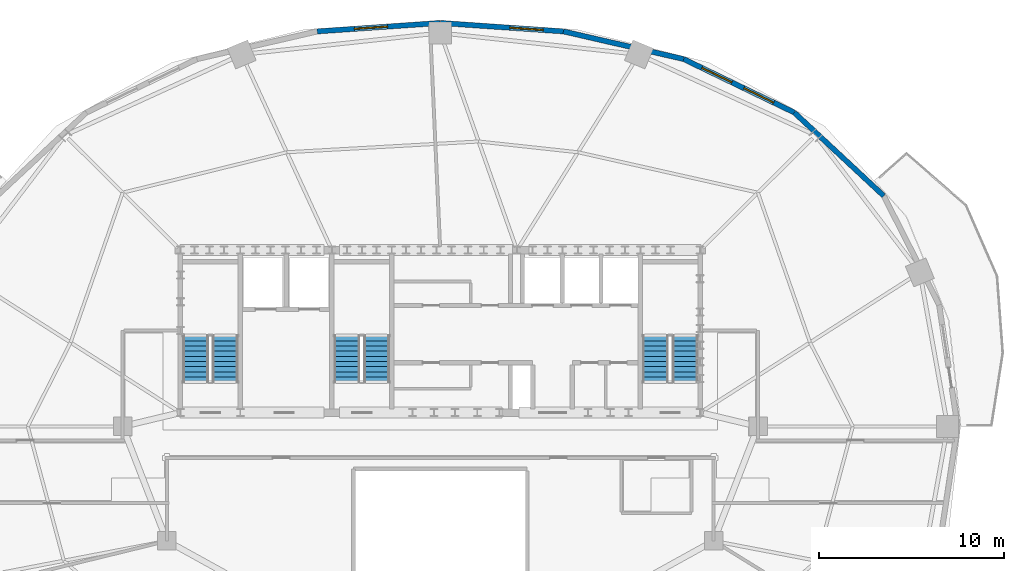
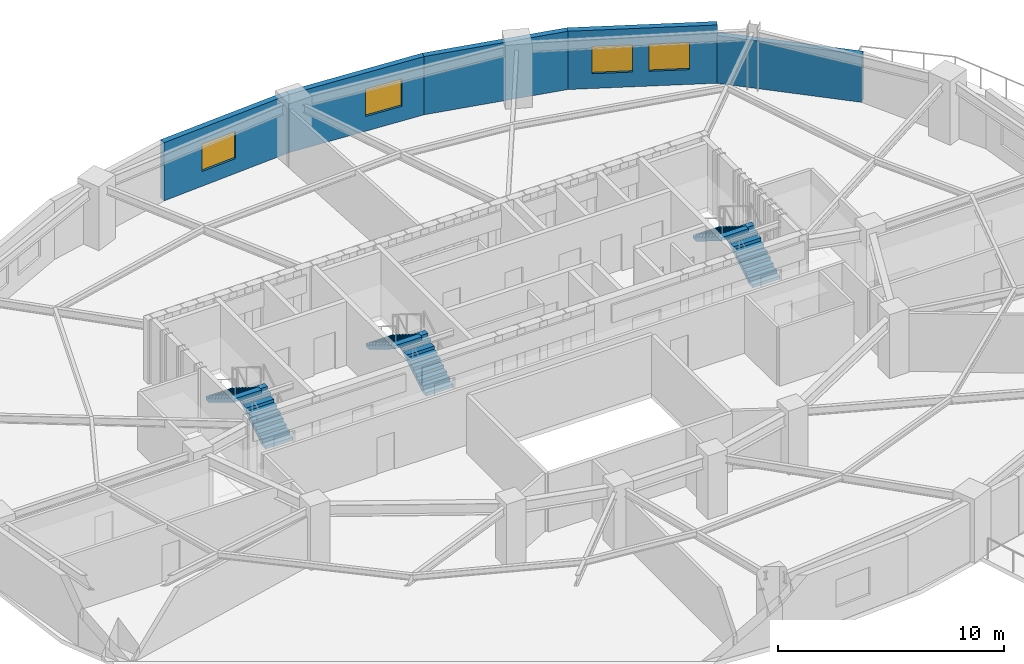
# One storey, part 6 of 11: 6 stair flights, 5 walls, 4 windows, 4 openings, 3 elements without a shape of their own.
"""IFC4 building model written with IfcOpenShell, lengths in metres."""

from ifc_helpers import new_model, si_unit, direction, frame, frame_2d, origin, place, context, subcontext, project, spatial, polyline, rectangle, outline, extrude, material, layer, layer_set, type_object, element, fill, aggregate, save


model = new_model("IFC4")

# Units and contexts
model_context = context("Model", 3, precision=1e-05, world=origin(), true_north=direction((0.0, 1.0)))
body_context = subcontext(model_context, "Body", "Model", "MODEL_VIEW")
ifc_project = project(units=[si_unit("LENGTHUNIT", "METRE"), si_unit("AREAUNIT", "SQUARE_METRE"), si_unit("VOLUMEUNIT", "CUBIC_METRE"), si_unit("PLANEANGLEUNIT", "RADIAN"), si_unit("MASSUNIT", "GRAM", prefix="KILO")], contexts=[model_context])

# Site, building, storey
site_placement = place(None, origin())
site = spatial("IfcSite", under=ifc_project, at=site_placement, CompositionType="ELEMENT")
building_placement = place(site_placement, origin())
building = spatial("IfcBuilding", under=site, at=building_placement, Name="Haldorwick Loom Tower", CompositionType="ELEMENT")
storey_placement = place(building_placement, frame((0.0, 0.0, 218.64990234375)))
storey = spatial("IfcBuildingStorey", under=building, at=storey_placement, Name="L59", CompositionType="ELEMENT", Elevation=218.64990234375)

# Wall
ifc_material_1 = material(Name="Pressed Clay Face Brick and Insulated Masonry Backup Assembly", Category="masonry")
ifc_layer = layer(ifc_material_1, 0.280029296875, Name="Pressed Clay Face Brick and Insulated Masonry Backup Assembly", Category="masonry")
ifc_layer_set = layer_set([ifc_layer], Name="Pressed Clay Face Brick and Insulated Masonry Backup Assembly")
wall_type = type_object("IfcWallType", Name="ARC-WL-EXT280", PredefinedType="STANDARD", material=ifc_layer_set)
wall_1_placement = place(storey_placement, frame((60.005615234375, 38.4853515625, 0.0), z_axis=(0.0, 0.0, 1.0), x_axis=(-0.731833707499, 0.681483253329, 0.0)))
element("IfcWall", 1, at=wall_1_placement, inside=storey, type_object=wall_type, Name="L59 Brick Pier and Spandrel Wall 3", PredefinedType="STANDARD", context=body_context, shape_type="SweptSolid", body=[
    extrude(rectangle(XDim=6.61865234375, YDim=0.280029296875, at=frame_2d((3.309326171875, 0.0))), origin(), (0.0, 0.0, 1.0), 2.5810546875),
])

# Wall, openings, windows
wall_2_placement = place(storey_placement, frame((55.161865234375, 42.995849609375, 0.0), z_axis=(0.0, 0.0, 1.0), x_axis=(-0.900371236029, 0.435122554381, 0.0)))
wall_2 = element("IfcWall", 2, at=wall_2_placement, inside=storey, type_object=wall_type, Name="L59 Brick Pier and Spandrel Wall 4", PredefinedType="STANDARD", context=body_context, shape_type="SweptSolid", body=[
    extrude(rectangle(XDim=6.6533203125, YDim=0.280029296875, at=frame_2d((3.32666015625, 0.0))), origin(), (0.0, 0.0, 1.0), 3.150146484375),
])
opening_1_placement = place(wall_2_placement, frame((1.234375, 0.0, 0.800048828125)))
opening_1 = element("IfcOpeningElement", 3, at=opening_1_placement, cuts=wall_2, Name="Opening W-01", PredefinedType="OPENING", context=body_context, shape_type="SweptSolid", body=[
    extrude(rectangle(XDim=1.800048828125, YDim=1.47998046875, at=frame_2d((0.89990234375, 0.739990234375))), frame((0.0, 0.14990234375, 0.0), z_axis=(0.0, -1.0, 0.0), x_axis=(1.0, 0.0, 0.0)), (0.0, 0.0, 1.0), 0.300048828125),
])
opening_2_placement = place(wall_2_placement, frame((3.75732421875, 0.0, 0.800048828125)))
opening_2 = element("IfcOpeningElement", 4, at=opening_2_placement, cuts=wall_2, Name="Opening W-01", PredefinedType="OPENING", context=body_context, shape_type="SweptSolid", body=[
    extrude(rectangle(XDim=1.800048828125, YDim=1.47998046875, at=frame_2d((0.89990234375, 0.739990234375))), frame((0.0, 0.14990234375, 0.0), z_axis=(0.0, -1.0, 0.0), x_axis=(1.0, 0.0, 0.0)), (0.0, 0.0, 1.0), 0.300048828125),
])
ifc_material_2 = material(Name="Triple-Glazed Low-E Argon Insulated Glazing Unit", Category="glass")
window_type = type_object("IfcWindowType", Name="ARC-WIN-W180", PartitioningType="SINGLE_PANEL", PredefinedType="WINDOW", material=ifc_material_2)
window_1_placement = place(opening_1_placement, origin())
window_1 = element("IfcWindow", 5, at=window_1_placement, inside=storey, type_object=window_type, Name="L59 Deep-Set Zone 7A Window 4", OverallHeight=1.47998046875, OverallWidth=1.800048828125, PartitioningType="SINGLE_PANEL", PredefinedType="WINDOW", context=body_context, shape_type="SweptSolid", body=[
    extrude(rectangle(XDim=1.800048828125, YDim=1.47998046875, at=frame_2d((0.89990234375, 0.739990234375))), frame((0.0, 0.030029296875, 0.0), z_axis=(0.0, -1.0, 0.0), x_axis=(1.0, 0.0, 0.0)), (0.0, 0.0, 1.0), 0.06005859375),
])
fill(opening_1, window_1)
window_2_placement = place(opening_2_placement, origin())
window_2 = element("IfcWindow", 6, at=window_2_placement, inside=storey, type_object=window_type, Name="L59 Deep-Set Zone 7A Window 4", OverallHeight=1.47998046875, OverallWidth=1.800048828125, PartitioningType="SINGLE_PANEL", PredefinedType="WINDOW", context=body_context, shape_type="SweptSolid", body=[
    extrude(rectangle(XDim=1.800048828125, YDim=1.47998046875, at=frame_2d((0.89990234375, 0.739990234375))), frame((0.0, 0.030029296875, 0.0), z_axis=(0.0, -1.0, 0.0), x_axis=(1.0, 0.0, 0.0)), (0.0, 0.0, 1.0), 0.06005859375),
])
fill(opening_2, window_2)

# Wall
wall_3_placement = place(storey_placement, frame((49.17138671875, 45.890869140625, 0.0), z_axis=(0.0, 0.0, 1.0), x_axis=(-0.974557343474, 0.224138315065, 0.0)))
element("IfcWall", 7, at=wall_3_placement, inside=storey, type_object=wall_type, Name="L59 Brick Pier and Spandrel Wall 5", PredefinedType="STANDARD", context=body_context, shape_type="SweptSolid", body=[
    extrude(rectangle(XDim=6.676025390625, YDim=0.280029296875, at=frame_2d((3.337890625, 0.0))), origin(), (0.0, 0.0, 1.0), 3.150146484375),
])

# Wall, opening, window
wall_4_placement = place(storey_placement, frame((42.665283203125, 47.38720703125, 0.0), z_axis=(0.0, 0.0, 1.0), x_axis=(-0.99764992135, 0.068517402386, 0.0)))
wall_4 = element("IfcWall", 8, at=wall_4_placement, inside=storey, type_object=wall_type, Name="L59 Brick Pier and Spandrel Wall 6", PredefinedType="STANDARD", context=body_context, shape_type="SweptSolid", body=[
    extrude(rectangle(XDim=6.680908203125, YDim=0.280029296875, at=frame_2d((3.34033203125, 0.0))), origin(), (0.0, 0.0, 1.0), 3.150146484375),
])
opening_3_placement = place(wall_4_placement, frame((1.104248046875, 0.0, 0.800048828125)))
opening_3 = element("IfcOpeningElement", 9, at=opening_3_placement, cuts=wall_4, Name="Opening W-01", PredefinedType="OPENING", context=body_context, shape_type="SweptSolid", body=[
    extrude(rectangle(XDim=1.800048828125, YDim=1.47998046875, at=frame_2d((0.89990234375, 0.739990234375))), frame((0.0, 0.14990234375, 0.0), z_axis=(0.0, -1.0, 0.0), x_axis=(1.0, 0.0, 0.0)), (0.0, 0.0, 1.0), 0.300048828125),
])
window_3_placement = place(opening_3_placement, origin())
window_3 = element("IfcWindow", 10, at=window_3_placement, inside=storey, type_object=window_type, Name="L59 Deep-Set Zone 7A Window 6", OverallHeight=1.47998046875, OverallWidth=1.800048828125, PartitioningType="SINGLE_PANEL", PredefinedType="WINDOW", context=body_context, shape_type="SweptSolid", body=[
    extrude(rectangle(XDim=1.800048828125, YDim=1.47998046875, at=frame_2d((0.89990234375, 0.739990234375))), frame((0.0, 0.030029296875, 0.0), z_axis=(0.0, -1.0, 0.0), x_axis=(1.0, 0.0, 0.0)), (0.0, 0.0, 1.0), 0.06005859375),
])
fill(opening_3, window_3)

wall_5_placement = place(storey_placement, frame((36.0, 47.844970703125, 0.0), z_axis=(0.0, 0.0, 1.0), x_axis=(-0.99764992135, -0.068517402386, 0.0)))
wall_5 = element("IfcWall", 11, at=wall_5_placement, inside=storey, type_object=wall_type, Name="L59 Brick Pier and Spandrel Wall 7", PredefinedType="STANDARD", context=body_context, shape_type="SweptSolid", body=[
    extrude(rectangle(XDim=6.680908203125, YDim=0.280029296875, at=frame_2d((3.34033203125, 0.0))), origin(), (0.0, 0.0, 1.0), 3.150146484375),
])
opening_4_placement = place(wall_5_placement, frame((2.860595703125, 0.0, 0.800048828125)))
opening_4 = element("IfcOpeningElement", 12, at=opening_4_placement, cuts=wall_5, Name="Opening W-01", PredefinedType="OPENING", context=body_context, shape_type="SweptSolid", body=[
    extrude(rectangle(XDim=1.800048828125, YDim=1.47998046875, at=frame_2d((0.89990234375, 0.739990234375))), frame((0.0, 0.14990234375, 0.0), z_axis=(0.0, -1.0, 0.0), x_axis=(1.0, 0.0, 0.0)), (0.0, 0.0, 1.0), 0.300048828125),
])
window_4_placement = place(opening_4_placement, origin())
window_4 = element("IfcWindow", 13, at=window_4_placement, inside=storey, type_object=window_type, Name="L59 Deep-Set Zone 7A Window 7", OverallHeight=1.47998046875, OverallWidth=1.800048828125, PartitioningType="SINGLE_PANEL", PredefinedType="WINDOW", context=body_context, shape_type="SweptSolid", body=[
    extrude(rectangle(XDim=1.800048828125, YDim=1.47998046875, at=frame_2d((0.89990234375, 0.739990234375))), frame((0.0, 0.030029296875, 0.0), z_axis=(0.0, -1.0, 0.0), x_axis=(1.0, 0.0, 0.0)), (0.0, 0.0, 1.0), 0.06005859375),
])
fill(opening_4, window_4)

# Stair, stair flights
ifc_material_3 = material(Name="Concrete C40 (40 MPa)", Category="concrete")
stair_type = type_object("IfcStairType", Name="STR-STR-CORE", PredefinedType="HALF_TURN_STAIR", material=ifc_material_3)
stair_1_placement = place(storey_placement, origin())
stair_1 = element("IfcStair", 14, at=stair_1_placement, inside=storey, type_object=stair_type, Name="L59 Exit Stair ST-01", PredefinedType="HALF_TURN_STAIR")
stair_flight_type = type_object("IfcStairFlightType", Name="STR-STF-1250", PredefinedType="STRAIGHT", material=ifc_material_3)
stair_flight_1_placement = place(storey_placement, frame((24.35009765625, 28.39990234375, 0.0), z_axis=(0.0, 0.0, 1.0), x_axis=(0.0, 1.0, 0.0)))
stair_flight_1 = element("IfcStairFlight", 15, at=stair_flight_1_placement, type_object=stair_flight_type, Name="ST-01 flight 1", NumberOfRisers=10, NumberOfTreads=9, PredefinedType="STRAIGHT", RiserHeight=0.1725, TreadLength=0.28, context=body_context, shape_type="SweptSolid", body=[
    extrude(outline(polyline([(0.0, 0.0), (0.0, 0.172607421875), (0.280029296875, 0.172607421875), (0.280029296875, 0.344970703125), (0.56005859375, 0.344970703125), (0.56005859375, 0.517578125), (0.840087890625, 0.517578125), (0.840087890625, 0.68994140625), (1.1201171875, 0.68994140625), (1.1201171875, 0.862548828125), (1.39990234375, 0.862548828125), (1.39990234375, 1.034912109375), (1.679931640625, 1.034912109375), (1.679931640625, 1.20751953125), (1.9599609375, 1.20751953125), (1.9599609375, 1.3798828125), (2.239990234375, 1.3798828125), (2.239990234375, 1.552490234375), (2.52001953125, 1.552490234375), (2.52001953125, 1.72509765625), (2.52001953125, 1.37646484375), (0.285888671875, 0.0), (0.0, 0.0)])), frame((0.0, 0.699951171875, 0.0), z_axis=(0.0, -1.0, 0.0), x_axis=(1.0, 0.0, 0.0)), (0.0, 0.0, 1.0), 1.39990234375),
])
stair_flight_2_placement = place(storey_placement, frame((22.75, 30.919921875, 1.72509765625), z_axis=(0.0, 0.0, 1.0), x_axis=(0.0, -1.0, 0.0)))
stair_flight_2 = element("IfcStairFlight", 16, at=stair_flight_2_placement, type_object=stair_flight_type, Name="ST-01 flight 2", NumberOfRisers=10, NumberOfTreads=9, PredefinedType="STRAIGHT", RiserHeight=0.1725, TreadLength=0.28, context=body_context, shape_type="SweptSolid", body=[
    extrude(outline(polyline([(0.0, 0.0), (0.0, 0.172607421875), (0.280029296875, 0.172607421875), (0.280029296875, 0.344970703125), (0.56005859375, 0.344970703125), (0.56005859375, 0.517578125), (0.840087890625, 0.517578125), (0.840087890625, 0.68994140625), (1.1201171875, 0.68994140625), (1.1201171875, 0.862548828125), (1.39990234375, 0.862548828125), (1.39990234375, 1.034912109375), (1.679931640625, 1.034912109375), (1.679931640625, 1.20751953125), (1.9599609375, 1.20751953125), (1.9599609375, 1.3798828125), (2.239990234375, 1.3798828125), (2.239990234375, 1.552490234375), (2.52001953125, 1.552490234375), (2.52001953125, 1.72509765625), (2.52001953125, 1.37646484375), (0.285888671875, 0.0), (0.0, 0.0)])), frame((0.0, 0.699951171875, 0.0), z_axis=(0.0, -1.0, 0.0), x_axis=(1.0, 0.0, 0.0)), (0.0, 0.0, 1.0), 1.39990234375),
])
aggregate(stair_1, [stair_flight_1, stair_flight_2])

stair_2_placement = place(storey_placement, origin())
stair_2 = element("IfcStair", 17, at=stair_2_placement, inside=storey, type_object=stair_type, Name="L59 Exit Stair ST-02", PredefinedType="HALF_TURN_STAIR")
stair_flight_3_placement = place(storey_placement, frame((49.25, 28.39990234375, 0.0), z_axis=(0.0, 0.0, 1.0), x_axis=(0.0, 1.0, 0.0)))
stair_flight_3 = element("IfcStairFlight", 18, at=stair_flight_3_placement, type_object=stair_flight_type, Name="ST-02 flight 1", NumberOfRisers=10, NumberOfTreads=9, PredefinedType="STRAIGHT", RiserHeight=0.1725, TreadLength=0.28, context=body_context, shape_type="SweptSolid", body=[
    extrude(outline(polyline([(0.0, 0.0), (0.0, 0.172607421875), (0.280029296875, 0.172607421875), (0.280029296875, 0.344970703125), (0.56005859375, 0.344970703125), (0.56005859375, 0.517578125), (0.840087890625, 0.517578125), (0.840087890625, 0.68994140625), (1.1201171875, 0.68994140625), (1.1201171875, 0.862548828125), (1.39990234375, 0.862548828125), (1.39990234375, 1.034912109375), (1.679931640625, 1.034912109375), (1.679931640625, 1.20751953125), (1.9599609375, 1.20751953125), (1.9599609375, 1.3798828125), (2.239990234375, 1.3798828125), (2.239990234375, 1.552490234375), (2.52001953125, 1.552490234375), (2.52001953125, 1.72509765625), (2.52001953125, 1.37646484375), (0.285888671875, 0.0), (0.0, 0.0)])), frame((0.0, 0.699951171875, 0.0), z_axis=(0.0, -1.0, 0.0), x_axis=(1.0, 0.0, 0.0)), (0.0, 0.0, 1.0), 1.39990234375),
])
stair_flight_4_placement = place(storey_placement, frame((47.64990234375, 30.919921875, 1.72509765625), z_axis=(0.0, 0.0, 1.0), x_axis=(0.0, -1.0, 0.0)))
stair_flight_4 = element("IfcStairFlight", 19, at=stair_flight_4_placement, type_object=stair_flight_type, Name="ST-02 flight 2", NumberOfRisers=10, NumberOfTreads=9, PredefinedType="STRAIGHT", RiserHeight=0.1725, TreadLength=0.28, context=body_context, shape_type="SweptSolid", body=[
    extrude(outline(polyline([(0.0, 0.0), (0.0, 0.172607421875), (0.280029296875, 0.172607421875), (0.280029296875, 0.344970703125), (0.56005859375, 0.344970703125), (0.56005859375, 0.517578125), (0.840087890625, 0.517578125), (0.840087890625, 0.68994140625), (1.1201171875, 0.68994140625), (1.1201171875, 0.862548828125), (1.39990234375, 0.862548828125), (1.39990234375, 1.034912109375), (1.679931640625, 1.034912109375), (1.679931640625, 1.20751953125), (1.9599609375, 1.20751953125), (1.9599609375, 1.3798828125), (2.239990234375, 1.3798828125), (2.239990234375, 1.552490234375), (2.52001953125, 1.552490234375), (2.52001953125, 1.72509765625), (2.52001953125, 1.37646484375), (0.285888671875, 0.0), (0.0, 0.0)])), frame((0.0, 0.699951171875, 0.0), z_axis=(0.0, -1.0, 0.0), x_axis=(1.0, 0.0, 0.0)), (0.0, 0.0, 1.0), 1.39990234375),
])
aggregate(stair_2, [stair_flight_3, stair_flight_4])

stair_3_placement = place(storey_placement, origin())
stair_3 = element("IfcStair", 20, at=stair_3_placement, inside=storey, type_object=stair_type, Name="L59 Exit Stair ST-03", PredefinedType="HALF_TURN_STAIR")
stair_flight_5_placement = place(storey_placement, frame((32.550048828125, 28.39990234375, 0.0), z_axis=(0.0, 0.0, 1.0), x_axis=(0.0, 1.0, 0.0)))
stair_flight_5 = element("IfcStairFlight", 21, at=stair_flight_5_placement, type_object=stair_flight_type, Name="ST-03 flight 1", NumberOfRisers=10, NumberOfTreads=9, PredefinedType="STRAIGHT", RiserHeight=0.1725, TreadLength=0.28, context=body_context, shape_type="SweptSolid", body=[
    extrude(outline(polyline([(0.0, 0.0), (0.0, 0.172607421875), (0.280029296875, 0.172607421875), (0.280029296875, 0.344970703125), (0.56005859375, 0.344970703125), (0.56005859375, 0.517578125), (0.840087890625, 0.517578125), (0.840087890625, 0.68994140625), (1.1201171875, 0.68994140625), (1.1201171875, 0.862548828125), (1.39990234375, 0.862548828125), (1.39990234375, 1.034912109375), (1.679931640625, 1.034912109375), (1.679931640625, 1.20751953125), (1.9599609375, 1.20751953125), (1.9599609375, 1.3798828125), (2.239990234375, 1.3798828125), (2.239990234375, 1.552490234375), (2.52001953125, 1.552490234375), (2.52001953125, 1.72509765625), (2.52001953125, 1.37646484375), (0.285888671875, 0.0), (0.0, 0.0)])), frame((0.0, 0.699951171875, 0.0), z_axis=(0.0, -1.0, 0.0), x_axis=(1.0, 0.0, 0.0)), (0.0, 0.0, 1.0), 1.39990234375),
])
stair_flight_6_placement = place(storey_placement, frame((30.949951171875, 30.919921875, 1.72509765625), z_axis=(0.0, 0.0, 1.0), x_axis=(0.0, -1.0, 0.0)))
stair_flight_6 = element("IfcStairFlight", 22, at=stair_flight_6_placement, type_object=stair_flight_type, Name="ST-03 flight 2", NumberOfRisers=10, NumberOfTreads=9, PredefinedType="STRAIGHT", RiserHeight=0.1725, TreadLength=0.28, context=body_context, shape_type="SweptSolid", body=[
    extrude(outline(polyline([(0.0, 0.0), (0.0, 0.172607421875), (0.280029296875, 0.172607421875), (0.280029296875, 0.344970703125), (0.56005859375, 0.344970703125), (0.56005859375, 0.517578125), (0.840087890625, 0.517578125), (0.840087890625, 0.68994140625), (1.1201171875, 0.68994140625), (1.1201171875, 0.862548828125), (1.39990234375, 0.862548828125), (1.39990234375, 1.034912109375), (1.679931640625, 1.034912109375), (1.679931640625, 1.20751953125), (1.9599609375, 1.20751953125), (1.9599609375, 1.3798828125), (2.239990234375, 1.3798828125), (2.239990234375, 1.552490234375), (2.52001953125, 1.552490234375), (2.52001953125, 1.72509765625), (2.52001953125, 1.37646484375), (0.285888671875, 0.0), (0.0, 0.0)])), frame((0.0, 0.699951171875, 0.0), z_axis=(0.0, -1.0, 0.0), x_axis=(1.0, 0.0, 0.0)), (0.0, 0.0, 1.0), 1.39990234375),
])
aggregate(stair_3, [stair_flight_5, stair_flight_6])

save(model, "model.ifc")
